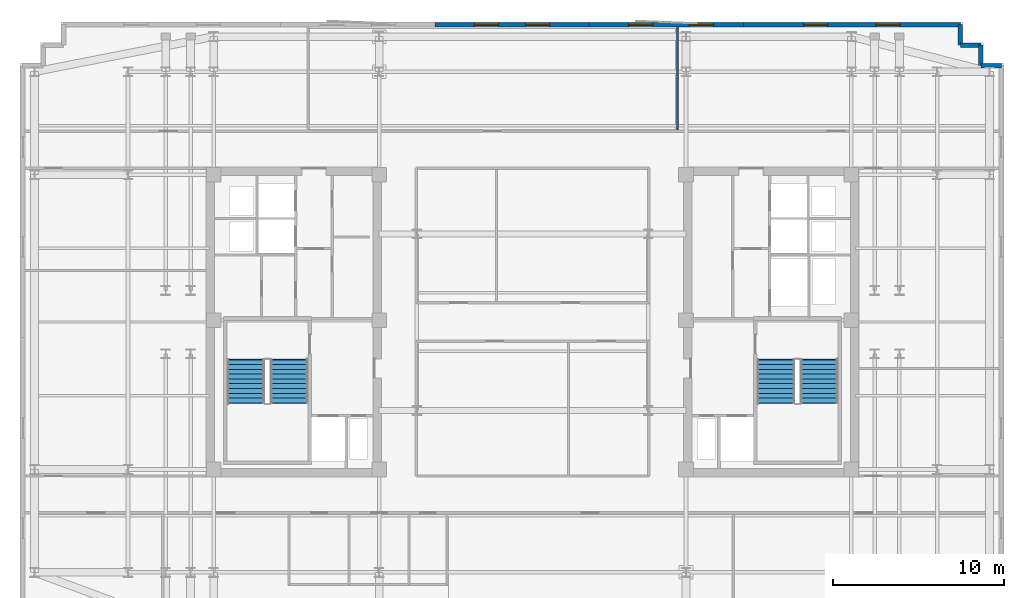
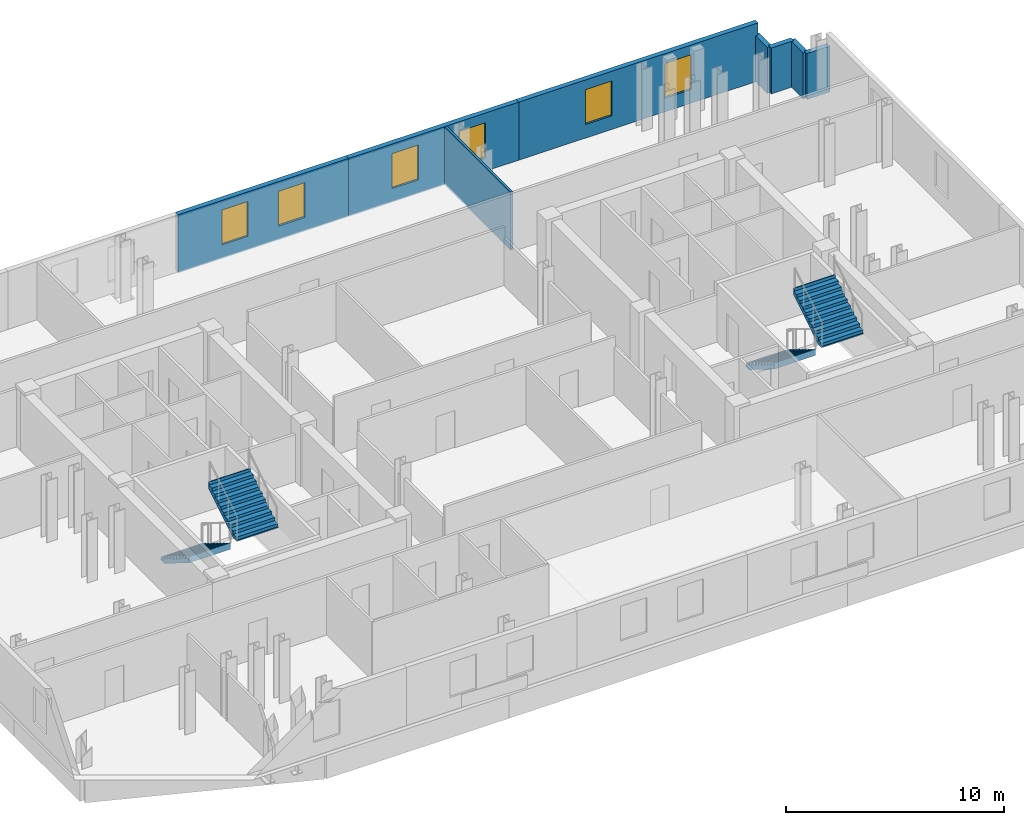
# One storey, part 7 of 9: 8 walls, 6 windows, 4 stair flights, 6 openings, 2 elements without a shape of their own.
"""IFC4 building model written with IfcOpenShell, lengths in metres."""

from ifc_helpers import new_model, si_unit, direction, frame, frame_2d, origin, place, context, subcontext, project, spatial, polyline, rectangle, outline, extrude, material, layer, layer_set, type_object, element, fill, aggregate, save


model = new_model("IFC4")

# Units and contexts
model_context = context("Model", 3, precision=1e-05, world=origin(), true_north=direction((0.0, 1.0)))
body_context = subcontext(model_context, "Body", "Model", "MODEL_VIEW")
ifc_project = project(units=[si_unit("LENGTHUNIT", "METRE"), si_unit("AREAUNIT", "SQUARE_METRE"), si_unit("VOLUMEUNIT", "CUBIC_METRE"), si_unit("PLANEANGLEUNIT", "RADIAN"), si_unit("MASSUNIT", "GRAM", prefix="KILO")], contexts=[model_context])

# Site, building, storey
site_placement = place(None, origin())
site = spatial("IfcSite", under=ifc_project, at=site_placement, CompositionType="ELEMENT")
building_placement = place(site_placement, origin())
building = spatial("IfcBuilding", under=site, at=building_placement, Name="Velakula Bourse", CompositionType="ELEMENT")
storey_placement = place(building_placement, frame((0.0, 0.0, 208.5)))
storey = spatial("IfcBuildingStorey", under=building, at=storey_placement, Name="L56", CompositionType="ELEMENT", Elevation=208.5)

# Wall, openings, windows
ifc_material_1 = material(Name="Buff kilned clay facing brick masonry", Category="masonry")
ifc_layer_1 = layer(ifc_material_1, 0.260009765625, Name="Buff kilned clay facing brick masonry", Category="masonry")
ifc_layer_set_1 = layer_set([ifc_layer_1], Name="Buff kilned clay facing brick masonry")
wall_type_1 = type_object("IfcWallType", Name="WL-EXT-BRK-260", PredefinedType="STANDARD", material=ifc_layer_set_1)
wall_1_placement = place(storey_placement, frame((-5.699951171875, 17.35009765625, 0.0), z_axis=(0.0, 0.0, 1.0), x_axis=(1.0, 0.0, 0.0)))
wall_1 = element("IfcWall", 1, at=wall_1_placement, inside=storey, type_object=wall_type_1, Name="L56 N Brick Spandrel Wall B3", PredefinedType="STANDARD", context=body_context, shape_type="SweptSolid", body=[
    extrude(rectangle(XDim=9.0, YDim=0.260009765625, at=frame_2d((4.5, 0.0))), origin(), (0.0, 0.0, 1.0), 3.25),
])
opening_1_placement = place(wall_1_placement, frame((2.300048828125, 0.0, 0.760009765625)))
opening_1 = element("IfcOpeningElement", 2, at=opening_1_placement, cuts=wall_1, Name="Opening W-03", PredefinedType="OPENING", context=body_context, shape_type="SweptSolid", body=[
    extrude(rectangle(XDim=1.39990234375, YDim=1.949951171875, at=frame_2d((0.699951171875, 0.97509765625))), frame((0.0, 0.139892578125, 0.0), z_axis=(0.0, -1.0, 0.0), x_axis=(1.0, 0.0, 0.0)), (0.0, 0.0, 1.0), 0.280029296875),
])
opening_2_placement = place(wall_1_placement, frame((5.300048828125, 0.0, 0.760009765625)))
opening_2 = element("IfcOpeningElement", 3, at=opening_2_placement, cuts=wall_1, Name="Opening W-03", PredefinedType="OPENING", context=body_context, shape_type="SweptSolid", body=[
    extrude(rectangle(XDim=1.39990234375, YDim=1.949951171875, at=frame_2d((0.699951171875, 0.97509765625))), frame((0.0, 0.139892578125, 0.0), z_axis=(0.0, -1.0, 0.0), x_axis=(1.0, 0.0, 0.0)), (0.0, 0.0, 1.0), 0.280029296875),
])
ifc_material_2 = material(Name="Double-glazed solar-control Low-E glass", Category="glass")
window_type = type_object("IfcWindowType", Name="WIN-TWR-1400x2100", PartitioningType="SINGLE_PANEL", PredefinedType="WINDOW", material=ifc_material_2)
window_1_placement = place(opening_1_placement, origin())
window_1 = element("IfcWindow", 4, at=window_1_placement, inside=storey, type_object=window_type, Name="L56 Deep-Set Recessed Window 1", OverallHeight=1.949951171875, OverallWidth=1.39990234375, PartitioningType="SINGLE_PANEL", PredefinedType="WINDOW", context=body_context, shape_type="SweptSolid", body=[
    extrude(rectangle(XDim=1.39990234375, YDim=1.949951171875, at=frame_2d((0.699951171875, 0.97509765625))), frame((0.0, 0.030029296875, 0.0), z_axis=(0.0, -1.0, 0.0), x_axis=(1.0, 0.0, 0.0)), (0.0, 0.0, 1.0), 0.06005859375),
])
fill(opening_1, window_1)
window_2_placement = place(opening_2_placement, origin())
window_2 = element("IfcWindow", 5, at=window_2_placement, inside=storey, type_object=window_type, Name="L56 Deep-Set Recessed Window 2", OverallHeight=1.949951171875, OverallWidth=1.39990234375, PartitioningType="SINGLE_PANEL", PredefinedType="WINDOW", context=body_context, shape_type="SweptSolid", body=[
    extrude(rectangle(XDim=1.39990234375, YDim=1.949951171875, at=frame_2d((0.699951171875, 0.97509765625))), frame((0.0, 0.030029296875, 0.0), z_axis=(0.0, -1.0, 0.0), x_axis=(1.0, 0.0, 0.0)), (0.0, 0.0, 1.0), 0.06005859375),
])
fill(opening_2, window_2)

wall_2_placement = place(storey_placement, frame((3.300048828125, 17.35009765625, 0.0), z_axis=(0.0, 0.0, 1.0), x_axis=(1.0, 0.0, 0.0)))
wall_2 = element("IfcWall", 6, at=wall_2_placement, inside=storey, type_object=wall_type_1, Name="L56 N Brick Spandrel Wall B4", PredefinedType="STANDARD", context=body_context, shape_type="SweptSolid", body=[
    extrude(rectangle(XDim=9.0, YDim=0.260009765625, at=frame_2d((4.5, 0.0))), origin(), (0.0, 0.0, 1.0), 3.25),
])
opening_3_placement = place(wall_2_placement, frame((2.300048828125, 0.0, 0.760009765625)))
opening_3 = element("IfcOpeningElement", 7, at=opening_3_placement, cuts=wall_2, Name="Opening W-03", PredefinedType="OPENING", context=body_context, shape_type="SweptSolid", body=[
    extrude(rectangle(XDim=1.39990234375, YDim=1.949951171875, at=frame_2d((0.699951171875, 0.97509765625))), frame((0.0, 0.139892578125, 0.0), z_axis=(0.0, -1.0, 0.0), x_axis=(1.0, 0.0, 0.0)), (0.0, 0.0, 1.0), 0.280029296875),
])
opening_4_placement = place(wall_2_placement, frame((5.85009765625, 0.0, 0.760009765625)))
opening_4 = element("IfcOpeningElement", 8, at=opening_4_placement, cuts=wall_2, Name="Opening W-03", PredefinedType="OPENING", context=body_context, shape_type="SweptSolid", body=[
    extrude(rectangle(XDim=1.39990234375, YDim=1.949951171875, at=frame_2d((0.699951171875, 0.97509765625))), frame((0.0, 0.139892578125, 0.0), z_axis=(0.0, -1.0, 0.0), x_axis=(1.0, 0.0, 0.0)), (0.0, 0.0, 1.0), 0.280029296875),
])
window_3_placement = place(opening_3_placement, origin())
window_3 = element("IfcWindow", 9, at=window_3_placement, inside=storey, type_object=window_type, Name="L56 Deep-Set Recessed Window 1", OverallHeight=1.949951171875, OverallWidth=1.39990234375, PartitioningType="SINGLE_PANEL", PredefinedType="WINDOW", context=body_context, shape_type="SweptSolid", body=[
    extrude(rectangle(XDim=1.39990234375, YDim=1.949951171875, at=frame_2d((0.699951171875, 0.97509765625))), frame((0.0, 0.030029296875, 0.0), z_axis=(0.0, -1.0, 0.0), x_axis=(1.0, 0.0, 0.0)), (0.0, 0.0, 1.0), 0.06005859375),
])
fill(opening_3, window_3)
window_4_placement = place(opening_4_placement, origin())
window_4 = element("IfcWindow", 10, at=window_4_placement, inside=storey, type_object=window_type, Name="L56 Deep-Set Recessed Window 2", OverallHeight=1.949951171875, OverallWidth=1.39990234375, PartitioningType="SINGLE_PANEL", PredefinedType="WINDOW", context=body_context, shape_type="SweptSolid", body=[
    extrude(rectangle(XDim=1.39990234375, YDim=1.949951171875, at=frame_2d((0.699951171875, 0.97509765625))), frame((0.0, 0.030029296875, 0.0), z_axis=(0.0, -1.0, 0.0), x_axis=(1.0, 0.0, 0.0)), (0.0, 0.0, 1.0), 0.06005859375),
])
fill(opening_4, window_4)

wall_3_placement = place(storey_placement, frame((12.300048828125, 17.35009765625, 0.0), z_axis=(0.0, 0.0, 1.0), x_axis=(1.0, 0.0, 0.0)))
wall_3 = element("IfcWall", 11, at=wall_3_placement, inside=storey, type_object=wall_type_1, Name="L56 N Brick Spandrel Wall B5", PredefinedType="STANDARD", context=body_context, shape_type="SweptSolid", body=[
    extrude(rectangle(XDim=12.64990234375, YDim=0.260009765625, at=frame_2d((6.324951171875, 0.0))), origin(), (0.0, 0.0, 1.0), 3.25),
])
opening_5_placement = place(wall_3_placement, frame((3.5166015625, 0.0, 0.760009765625)))
opening_5 = element("IfcOpeningElement", 12, at=opening_5_placement, cuts=wall_3, Name="Opening W-03", PredefinedType="OPENING", context=body_context, shape_type="SweptSolid", body=[
    extrude(rectangle(XDim=1.39990234375, YDim=1.949951171875, at=frame_2d((0.699951171875, 0.97509765625))), frame((0.0, 0.139892578125, 0.0), z_axis=(0.0, -1.0, 0.0), x_axis=(1.0, 0.0, 0.0)), (0.0, 0.0, 1.0), 0.280029296875),
])
opening_6_placement = place(wall_3_placement, frame((7.7333984375, 0.0, 0.760009765625)))
opening_6 = element("IfcOpeningElement", 13, at=opening_6_placement, cuts=wall_3, Name="Opening W-03", PredefinedType="OPENING", context=body_context, shape_type="SweptSolid", body=[
    extrude(rectangle(XDim=1.39990234375, YDim=1.949951171875, at=frame_2d((0.699951171875, 0.97509765625))), frame((0.0, 0.139892578125, 0.0), z_axis=(0.0, -1.0, 0.0), x_axis=(1.0, 0.0, 0.0)), (0.0, 0.0, 1.0), 0.280029296875),
])
window_5_placement = place(opening_5_placement, origin())
window_5 = element("IfcWindow", 14, at=window_5_placement, inside=storey, type_object=window_type, Name="L56 Deep-Set Recessed Window 1", OverallHeight=1.949951171875, OverallWidth=1.39990234375, PartitioningType="SINGLE_PANEL", PredefinedType="WINDOW", context=body_context, shape_type="SweptSolid", body=[
    extrude(rectangle(XDim=1.39990234375, YDim=1.949951171875, at=frame_2d((0.699951171875, 0.97509765625))), frame((0.0, 0.030029296875, 0.0), z_axis=(0.0, -1.0, 0.0), x_axis=(1.0, 0.0, 0.0)), (0.0, 0.0, 1.0), 0.06005859375),
])
fill(opening_5, window_5)
window_6_placement = place(opening_6_placement, origin())
window_6 = element("IfcWindow", 15, at=window_6_placement, inside=storey, type_object=window_type, Name="L56 Deep-Set Recessed Window 2", OverallHeight=1.949951171875, OverallWidth=1.39990234375, PartitioningType="SINGLE_PANEL", PredefinedType="WINDOW", context=body_context, shape_type="SweptSolid", body=[
    extrude(rectangle(XDim=1.39990234375, YDim=1.949951171875, at=frame_2d((0.699951171875, 0.97509765625))), frame((0.0, 0.030029296875, 0.0), z_axis=(0.0, -1.0, 0.0), x_axis=(1.0, 0.0, 0.0)), (0.0, 0.0, 1.0), 0.06005859375),
])
fill(opening_6, window_6)

# Walls
wall_4_placement = place(storey_placement, frame((27.35009765625, 14.949951171875, 0.0), z_axis=(0.0, 0.0, 1.0), x_axis=(-1.0, 0.0, 0.0)))
element("IfcWall", 16, at=wall_4_placement, inside=storey, type_object=wall_type_1, Name="L56 Serrated Corner Brick Wall NE-1", PredefinedType="STANDARD", context=body_context, shape_type="SweptSolid", body=[
    extrude(rectangle(XDim=1.2001953125, YDim=0.260009765625, at=frame_2d((0.60009765625, 0.0))), origin(), (0.0, 0.0, 1.0), 2.56494140625),
])
for number, where, z_axis, x_axis, name in (
    (17, (26.14990234375, 14.949951171875, 0.0), (0.0, 0.0, 1.0), (0.0, 1.0, 0.0), "L56 Serrated Corner Brick Wall NE-2"),
    (18, (26.14990234375, 16.14990234375, 0.0), (0.0, 0.0, 1.0), (-1.0, 0.0, 0.0), "L56 Serrated Corner Brick Wall NE-3"),
):
    element("IfcWall", number, at=place(storey_placement, frame(where, z_axis=z_axis, x_axis=x_axis)), inside=storey, type_object=wall_type_1, Name=name, PredefinedType="STANDARD", context=body_context, shape_type="SweptSolid", body=[
        extrude(rectangle(XDim=1.199951171875, YDim=0.260009765625, at=frame_2d((0.60009765625, 0.0))), origin(), (0.0, 0.0, 1.0), 2.56494140625),
    ])
wall_5_placement = place(storey_placement, frame((24.949951171875, 16.14990234375, 0.0), z_axis=(0.0, 0.0, 1.0), x_axis=(0.0, 1.0, 0.0)))
element("IfcWall", 19, at=wall_5_placement, inside=storey, type_object=wall_type_1, Name="L56 Serrated Corner Brick Wall NE-4", PredefinedType="STANDARD", context=body_context, shape_type="SweptSolid", body=[
    extrude(rectangle(XDim=1.2001953125, YDim=0.260009765625, at=frame_2d((0.60009765625, 0.0))), origin(), (0.0, 0.0, 1.0), 2.56494140625),
])
ifc_material_3 = material(Name="Fire-rated double-layer gypsum drywall partition", Category="gypsum")
ifc_layer_2 = layer(ifc_material_3, 0.1201171875, Name="Fire-rated double-layer gypsum drywall partition", Category="gypsum")
ifc_layer_set_2 = layer_set([ifc_layer_2], Name="Fire-rated double-layer gypsum drywall partition")
wall_type_2 = type_object("IfcWallType", Name="WL-PART-120", PredefinedType="STANDARD", material=ifc_layer_set_2)
wall_6_placement = place(storey_placement, frame((8.44189453125, 11.18994140625, 0.0), z_axis=(0.0, 0.0, 1.0), x_axis=(0.0, 1.0, 0.0)))
element("IfcWall", 20, at=wall_6_placement, inside=storey, type_object=wall_type_2, Name="L56 Interior Partition WL-INT-L56-N-D2", PredefinedType="STANDARD", context=body_context, shape_type="SweptSolid", body=[
    extrude(rectangle(XDim=6.030029296875, YDim=0.1201171875, at=frame_2d((3.01513671875, 0.0))), origin(), (0.0, 0.0, 1.0), 3.25),
])

# Stair, stair flights
ifc_material_4 = material(Name="Concrete M45 (fck 45 MPa)", Category="concrete")
stair_type = type_object("IfcStairType", Name="STR-DOG-390", PredefinedType="HALF_TURN_STAIR", material=ifc_material_4)
stair_1_placement = place(storey_placement, origin())
stair_1 = element("IfcStair", 21, at=stair_1_placement, inside=storey, type_object=stair_type, Name="L56 West Core Exit Stair ST-W1", PredefinedType="HALF_TURN_STAIR")
ifc_layer_3 = layer(ifc_material_4, 0.195068359375, Name="Concrete M45 (fck 45 MPa)", Category="concrete")
ifc_layer_set_3 = layer_set([ifc_layer_3], Name="Concrete M45 (fck 45 MPa)")
stair_flight_type = type_object("IfcStairFlightType", Name="FLT-DOG-390", PredefinedType="STRAIGHT", material=ifc_layer_set_3)
stair_flight_1_placement = place(storey_placement, frame((-16.720947265625, -2.199951171875, 0.0), z_axis=(0.0, 0.0, 1.0), x_axis=(0.0, -1.0, 0.0)))
stair_flight_1 = element("IfcStairFlight", 22, at=stair_flight_1_placement, type_object=stair_flight_type, Name="ST-W1 flight 1", NumberOfRisers=10, NumberOfTreads=9, PredefinedType="STRAIGHT", RiserHeight=0.1725, TreadLength=0.28, context=body_context, shape_type="SweptSolid", body=[
    extrude(outline(polyline([(-0.044921875, -0.0400390625), (-0.044921875, -0.036865234375), (-0.044921875, -0.033935546875), (-0.044921875, -0.03076171875), (-0.044921875, -0.027587890625), (-0.044921875, -0.024658203125), (-0.044921875, -0.021484375), (-0.044921875, -0.0185546875), (-0.044921875, -0.015380859375), (-0.044921875, -0.01220703125), (-0.044921875, -0.00927734375), (-0.044921875, -0.006103515625), (-0.044921875, -0.003173828125), (-0.044921875, 0.0), (0.0, 0.0), (0.0, 0.172607421875), (0.280029296875, 0.172607421875), (0.280029296875, 0.344970703125), (0.56005859375, 0.344970703125), (0.56005859375, 0.517578125), (0.840087890625, 0.517578125), (0.840087890625, 0.68994140625), (1.1201171875, 0.68994140625), (1.1201171875, 0.862548828125), (1.39990234375, 0.862548828125), (1.39990234375, 1.034912109375), (1.679931640625, 1.034912109375), (1.679931640625, 1.20751953125), (1.9599609375, 1.20751953125), (1.9599609375, 1.3798828125), (2.239990234375, 1.3798828125), (2.239990234375, 1.552490234375), (2.52001953125, 1.552490234375), (2.52001953125, 1.72509765625), (2.56494140625, 1.72509765625), (2.56494140625, 1.7001953125), (2.56494140625, 1.67529296875), (2.56494140625, 1.650390625), (2.56494140625, 1.62548828125), (2.56494140625, 1.6005859375), (2.56494140625, 1.57568359375), (2.56494140625, 1.55078125), (2.56494140625, 1.52587890625), (2.56494140625, 1.5009765625), (2.56494140625, 1.47607421875), (2.56494140625, 1.451171875), (2.56494140625, 1.42626953125), (2.56494140625, 1.4013671875), (2.56494140625, 1.37646484375), (0.285888671875, -0.0400390625), (-0.044921875, -0.0400390625)])), frame((0.0, 1.09912109375, 0.0), z_axis=(0.0, -1.0, 0.0), x_axis=(1.0, 0.0, 0.0)), (0.0, 0.0, 1.0), 2.197998046875),
])
stair_flight_2_placement = place(storey_placement, frame((-14.198974609375, -4.719970703125, 1.72509765625), z_axis=(0.0, 0.0, 1.0), x_axis=(0.0, 1.0, 0.0)))
stair_flight_2 = element("IfcStairFlight", 23, at=stair_flight_2_placement, type_object=stair_flight_type, Name="ST-W1 flight 2", NumberOfRisers=10, NumberOfTreads=9, PredefinedType="STRAIGHT", RiserHeight=0.1725, TreadLength=0.28, context=body_context, shape_type="SweptSolid", body=[
    extrude(outline(polyline([(-0.044921875, -0.0400390625), (-0.044921875, -0.036865234375), (-0.044921875, -0.033935546875), (-0.044921875, -0.03076171875), (-0.044921875, -0.027587890625), (-0.044921875, -0.024658203125), (-0.044921875, -0.021484375), (-0.044921875, -0.0185546875), (-0.044921875, -0.015380859375), (-0.044921875, -0.01220703125), (-0.044921875, -0.00927734375), (-0.044921875, -0.006103515625), (-0.044921875, -0.003173828125), (-0.044921875, 0.0), (0.0, 0.0), (0.0, 0.172607421875), (0.280029296875, 0.172607421875), (0.280029296875, 0.344970703125), (0.56005859375, 0.344970703125), (0.56005859375, 0.517578125), (0.840087890625, 0.517578125), (0.840087890625, 0.68994140625), (1.1201171875, 0.68994140625), (1.1201171875, 0.862548828125), (1.39990234375, 0.862548828125), (1.39990234375, 1.034912109375), (1.679931640625, 1.034912109375), (1.679931640625, 1.20751953125), (1.9599609375, 1.20751953125), (1.9599609375, 1.3798828125), (2.239990234375, 1.3798828125), (2.239990234375, 1.552490234375), (2.52001953125, 1.552490234375), (2.52001953125, 1.72509765625), (2.56494140625, 1.72509765625), (2.56494140625, 1.7001953125), (2.56494140625, 1.67529296875), (2.56494140625, 1.650390625), (2.56494140625, 1.62548828125), (2.56494140625, 1.6005859375), (2.56494140625, 1.57568359375), (2.56494140625, 1.55078125), (2.56494140625, 1.52587890625), (2.56494140625, 1.5009765625), (2.56494140625, 1.47607421875), (2.56494140625, 1.451171875), (2.56494140625, 1.42626953125), (2.56494140625, 1.4013671875), (2.56494140625, 1.37646484375), (0.285888671875, -0.0400390625), (-0.044921875, -0.0400390625)])), frame((0.0, 1.09912109375, 0.0), z_axis=(0.0, -1.0, 0.0), x_axis=(1.0, 0.0, 0.0)), (0.0, 0.0, 1.0), 2.197998046875),
])
aggregate(stair_1, [stair_flight_1, stair_flight_2])

stair_2_placement = place(storey_placement, origin())
stair_2 = element("IfcStair", 24, at=stair_2_placement, inside=storey, type_object=stair_type, Name="L56 East Core Exit Stair ST-E1", PredefinedType="HALF_TURN_STAIR")
stair_flight_3_placement = place(storey_placement, frame((14.198974609375, -2.199951171875, 0.0), z_axis=(0.0, 0.0, 1.0), x_axis=(0.0, -1.0, 0.0)))
stair_flight_3 = element("IfcStairFlight", 25, at=stair_flight_3_placement, type_object=stair_flight_type, Name="ST-E1 flight 1", NumberOfRisers=10, NumberOfTreads=9, PredefinedType="STRAIGHT", RiserHeight=0.1725, TreadLength=0.28, context=body_context, shape_type="SweptSolid", body=[
    extrude(outline(polyline([(-0.044921875, -0.0400390625), (-0.044921875, -0.036865234375), (-0.044921875, -0.033935546875), (-0.044921875, -0.03076171875), (-0.044921875, -0.027587890625), (-0.044921875, -0.024658203125), (-0.044921875, -0.021484375), (-0.044921875, -0.0185546875), (-0.044921875, -0.015380859375), (-0.044921875, -0.01220703125), (-0.044921875, -0.00927734375), (-0.044921875, -0.006103515625), (-0.044921875, -0.003173828125), (-0.044921875, 0.0), (0.0, 0.0), (0.0, 0.172607421875), (0.280029296875, 0.172607421875), (0.280029296875, 0.344970703125), (0.56005859375, 0.344970703125), (0.56005859375, 0.517578125), (0.840087890625, 0.517578125), (0.840087890625, 0.68994140625), (1.1201171875, 0.68994140625), (1.1201171875, 0.862548828125), (1.39990234375, 0.862548828125), (1.39990234375, 1.034912109375), (1.679931640625, 1.034912109375), (1.679931640625, 1.20751953125), (1.9599609375, 1.20751953125), (1.9599609375, 1.3798828125), (2.239990234375, 1.3798828125), (2.239990234375, 1.552490234375), (2.52001953125, 1.552490234375), (2.52001953125, 1.72509765625), (2.56494140625, 1.72509765625), (2.56494140625, 1.7001953125), (2.56494140625, 1.67529296875), (2.56494140625, 1.650390625), (2.56494140625, 1.62548828125), (2.56494140625, 1.6005859375), (2.56494140625, 1.57568359375), (2.56494140625, 1.55078125), (2.56494140625, 1.52587890625), (2.56494140625, 1.5009765625), (2.56494140625, 1.47607421875), (2.56494140625, 1.451171875), (2.56494140625, 1.42626953125), (2.56494140625, 1.4013671875), (2.56494140625, 1.37646484375), (0.285888671875, -0.0400390625), (-0.044921875, -0.0400390625)])), frame((0.0, 1.09912109375, 0.0), z_axis=(0.0, -1.0, 0.0), x_axis=(1.0, 0.0, 0.0)), (0.0, 0.0, 1.0), 2.197998046875),
])
stair_flight_4_placement = place(storey_placement, frame((16.720947265625, -4.719970703125, 1.72509765625), z_axis=(0.0, 0.0, 1.0), x_axis=(0.0, 1.0, 0.0)))
stair_flight_4 = element("IfcStairFlight", 26, at=stair_flight_4_placement, type_object=stair_flight_type, Name="ST-E1 flight 2", NumberOfRisers=10, NumberOfTreads=9, PredefinedType="STRAIGHT", RiserHeight=0.1725, TreadLength=0.28, context=body_context, shape_type="SweptSolid", body=[
    extrude(outline(polyline([(-0.044921875, -0.0400390625), (-0.044921875, -0.036865234375), (-0.044921875, -0.033935546875), (-0.044921875, -0.03076171875), (-0.044921875, -0.027587890625), (-0.044921875, -0.024658203125), (-0.044921875, -0.021484375), (-0.044921875, -0.0185546875), (-0.044921875, -0.015380859375), (-0.044921875, -0.01220703125), (-0.044921875, -0.00927734375), (-0.044921875, -0.006103515625), (-0.044921875, -0.003173828125), (-0.044921875, 0.0), (0.0, 0.0), (0.0, 0.172607421875), (0.280029296875, 0.172607421875), (0.280029296875, 0.344970703125), (0.56005859375, 0.344970703125), (0.56005859375, 0.517578125), (0.840087890625, 0.517578125), (0.840087890625, 0.68994140625), (1.1201171875, 0.68994140625), (1.1201171875, 0.862548828125), (1.39990234375, 0.862548828125), (1.39990234375, 1.034912109375), (1.679931640625, 1.034912109375), (1.679931640625, 1.20751953125), (1.9599609375, 1.20751953125), (1.9599609375, 1.3798828125), (2.239990234375, 1.3798828125), (2.239990234375, 1.552490234375), (2.52001953125, 1.552490234375), (2.52001953125, 1.72509765625), (2.56494140625, 1.72509765625), (2.56494140625, 1.7001953125), (2.56494140625, 1.67529296875), (2.56494140625, 1.650390625), (2.56494140625, 1.62548828125), (2.56494140625, 1.6005859375), (2.56494140625, 1.57568359375), (2.56494140625, 1.55078125), (2.56494140625, 1.52587890625), (2.56494140625, 1.5009765625), (2.56494140625, 1.47607421875), (2.56494140625, 1.451171875), (2.56494140625, 1.42626953125), (2.56494140625, 1.4013671875), (2.56494140625, 1.37646484375), (0.285888671875, -0.0400390625), (-0.044921875, -0.0400390625)])), frame((0.0, 1.09912109375, 0.0), z_axis=(0.0, -1.0, 0.0), x_axis=(1.0, 0.0, 0.0)), (0.0, 0.0, 1.0), 2.197998046875),
])
aggregate(stair_2, [stair_flight_3, stair_flight_4])

save(model, "model.ifc")
